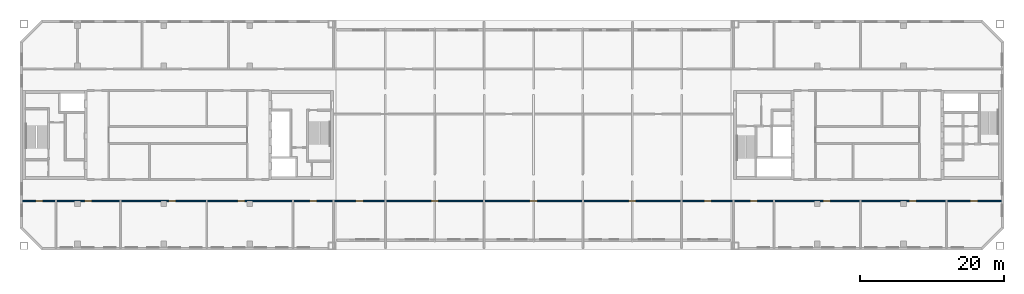
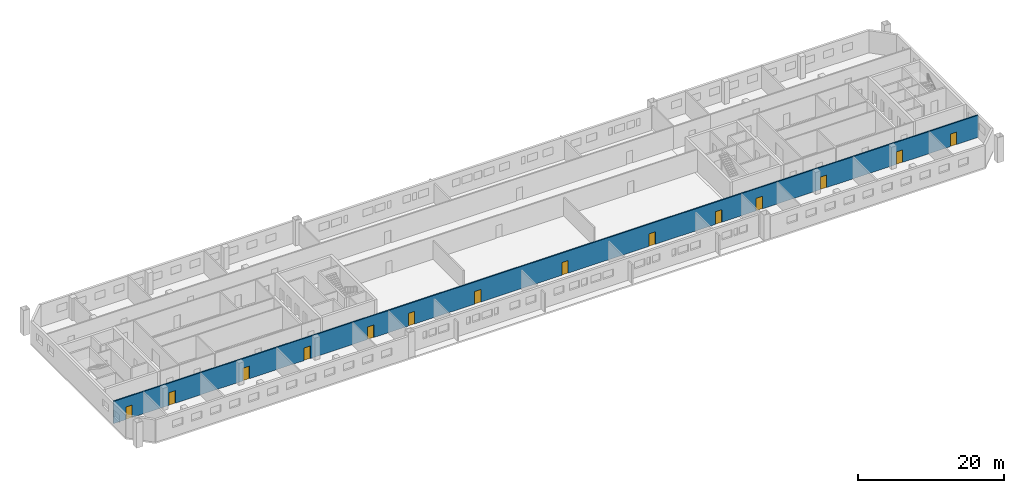
# One storey, part 7 of 13: 14 doors, 1 wall, 14 openings.
"""IFC4 building model written with IfcOpenShell, lengths in metres."""

from ifc_helpers import new_model, si_unit, direction, frame, frame_2d, origin, place, context, subcontext, project, spatial, rectangle, extrude, material, layer, layer_set, type_object, element, fill, save


model = new_model("IFC4")

# Units and contexts
model_context = context("Model", 3, precision=1e-05, world=origin(), true_north=direction((0.0, 1.0)))
body_context = subcontext(model_context, "Body", "Model", "MODEL_VIEW")
ifc_project = project(units=[si_unit("LENGTHUNIT", "METRE"), si_unit("AREAUNIT", "SQUARE_METRE"), si_unit("VOLUMEUNIT", "CUBIC_METRE"), si_unit("PLANEANGLEUNIT", "RADIAN"), si_unit("MASSUNIT", "GRAM", prefix="KILO")], contexts=[model_context])

# Site, building, storey
site_placement = place(None, origin())
site = spatial("IfcSite", under=ifc_project, at=site_placement, CompositionType="ELEMENT")
building_placement = place(site_placement, origin())
building = spatial("IfcBuilding", under=site, at=building_placement, Name="Tuart Gate Housing", CompositionType="ELEMENT")
storey_placement = place(building_placement, frame((0.0, 0.0, 198.60009765625)))
storey = spatial("IfcBuildingStorey", under=building, at=storey_placement, Name="L56", CompositionType="ELEMENT", Elevation=198.60009765625)

# Wall, openings, doors
ifc_material_1 = material(Name="Concrete masonry 15 MPa", Category="masonry")
ifc_layer = layer(ifc_material_1, 0.199951171875)
ifc_layer_set = layer_set([ifc_layer], Name="Enclosure wall masonry 200")
wall_type = type_object("IfcWallType", Name="Enclosure wall masonry 200", PredefinedType="PARTITIONING", material=ifc_layer_set)
wall_placement = place(storey_placement, frame((32.239990234375, 60.800048828125, 0.0), z_axis=(0.0, 0.0, 1.0), x_axis=(1.0, 0.0, 0.0)))
wall = element("IfcWall", 1, at=wall_placement, inside=storey, type_object=wall_type, Name="Enclosure wall masonry 200", PredefinedType="PARTITIONING", context=body_context, shape_type="SweptSolid", body=[
    extrude(rectangle(XDim=136.52001953125, YDim=0.199951171875, at=frame_2d((68.260009765625, 0.0))), origin(), (0.0, 0.0, 1.0), 3.699951171875),
])
opening_1_placement = place(wall_placement, frame((1.93994140625, 0.0, 0.0)))
opening_1 = element("IfcOpeningElement", 2, at=opening_1_placement, cuts=wall, Name="Opening D3596", PredefinedType="OPENING", context=body_context, shape_type="SweptSolid", body=[
    extrude(rectangle(XDim=1.0, YDim=2.10009765625, at=frame_2d((0.5, 1.050048828125))), frame((0.0, 0.10986328125, 0.0), z_axis=(0.0, -1.0, 0.0), x_axis=(1.0, 0.0, 0.0)), (0.0, 0.0, 1.0), 0.219970703125),
])
opening_2_placement = place(wall_placement, frame((8.760009765625, 0.0, 0.0)))
opening_2 = element("IfcOpeningElement", 3, at=opening_2_placement, cuts=wall, Name="Opening D3597", PredefinedType="OPENING", context=body_context, shape_type="SweptSolid", body=[
    extrude(rectangle(XDim=1.0, YDim=2.10009765625, at=frame_2d((0.5, 1.050048828125))), frame((0.0, 0.10986328125, 0.0), z_axis=(0.0, -1.0, 0.0), x_axis=(1.0, 0.0, 0.0)), (0.0, 0.0, 1.0), 0.219970703125),
])
opening_3_placement = place(wall_placement, frame((20.4599609375, 0.0, 0.0)))
opening_3 = element("IfcOpeningElement", 4, at=opening_3_placement, cuts=wall, Name="Opening D3598", PredefinedType="OPENING", context=body_context, shape_type="SweptSolid", body=[
    extrude(rectangle(XDim=1.0, YDim=2.10009765625, at=frame_2d((0.5, 1.050048828125))), frame((0.0, 0.10986328125, 0.0), z_axis=(0.0, -1.0, 0.0), x_axis=(1.0, 0.0, 0.0)), (0.0, 0.0, 1.0), 0.219970703125),
])
opening_4_placement = place(wall_placement, frame((30.06005859375, 0.0, 0.0)))
opening_4 = element("IfcOpeningElement", 5, at=opening_4_placement, cuts=wall, Name="Opening D3599", PredefinedType="OPENING", context=body_context, shape_type="SweptSolid", body=[
    extrude(rectangle(XDim=1.0, YDim=2.10009765625, at=frame_2d((0.5, 1.050048828125))), frame((0.0, 0.10986328125, 0.0), z_axis=(0.0, -1.0, 0.0), x_axis=(1.0, 0.0, 0.0)), (0.0, 0.0, 1.0), 0.219970703125),
])
opening_5_placement = place(wall_placement, frame((40.080078125, 0.0, 0.0)))
opening_5 = element("IfcOpeningElement", 6, at=opening_5_placement, cuts=wall, Name="Opening D3600", PredefinedType="OPENING", context=body_context, shape_type="SweptSolid", body=[
    extrude(rectangle(XDim=1.0, YDim=2.10009765625, at=frame_2d((0.5, 1.050048828125))), frame((0.0, 0.10986328125, 0.0), z_axis=(0.0, -1.0, 0.0), x_axis=(1.0, 0.0, 0.0)), (0.0, 0.0, 1.0), 0.219970703125),
])
opening_6_placement = place(wall_placement, frame((46.51708984375, 0.0, 0.0)))
opening_6 = element("IfcOpeningElement", 7, at=opening_6_placement, cuts=wall, Name="Opening D3601", PredefinedType="OPENING", context=body_context, shape_type="SweptSolid", body=[
    extrude(rectangle(XDim=1.0, YDim=2.10009765625, at=frame_2d((0.5, 1.050048828125))), frame((0.0, 0.10986328125, 0.0), z_axis=(0.0, -1.0, 0.0), x_axis=(1.0, 0.0, 0.0)), (0.0, 0.0, 1.0), 0.219970703125),
])
opening_7_placement = place(wall_placement, frame((57.010009765625, 0.0, 0.0)))
opening_7 = element("IfcOpeningElement", 8, at=opening_7_placement, cuts=wall, Name="Opening D3602", PredefinedType="OPENING", context=body_context, shape_type="SweptSolid", body=[
    extrude(rectangle(XDim=1.0, YDim=2.10009765625, at=frame_2d((0.5, 1.050048828125))), frame((0.0, 0.10986328125, 0.0), z_axis=(0.0, -1.0, 0.0), x_axis=(1.0, 0.0, 0.0)), (0.0, 0.0, 1.0), 0.219970703125),
])
opening_8_placement = place(wall_placement, frame((70.760009765625, 0.0, 0.0)))
opening_8 = element("IfcOpeningElement", 9, at=opening_8_placement, cuts=wall, Name="Opening D3603", PredefinedType="OPENING", context=body_context, shape_type="SweptSolid", body=[
    extrude(rectangle(XDim=1.0, YDim=2.10009765625, at=frame_2d((0.5, 1.050048828125))), frame((0.0, 0.10986328125, 0.0), z_axis=(0.0, -1.0, 0.0), x_axis=(1.0, 0.0, 0.0)), (0.0, 0.0, 1.0), 0.219970703125),
])
opening_9_placement = place(wall_placement, frame((84.510009765625, 0.0, 0.0)))
opening_9 = element("IfcOpeningElement", 10, at=opening_9_placement, cuts=wall, Name="Opening D3604", PredefinedType="OPENING", context=body_context, shape_type="SweptSolid", body=[
    extrude(rectangle(XDim=1.0, YDim=2.10009765625, at=frame_2d((0.5, 1.050048828125))), frame((0.0, 0.10986328125, 0.0), z_axis=(0.0, -1.0, 0.0), x_axis=(1.0, 0.0, 0.0)), (0.0, 0.0, 1.0), 0.219970703125),
])
opening_10_placement = place(wall_placement, frame((95.0029296875, 0.0, 0.0)))
opening_10 = element("IfcOpeningElement", 11, at=opening_10_placement, cuts=wall, Name="Opening D3605", PredefinedType="OPENING", context=body_context, shape_type="SweptSolid", body=[
    extrude(rectangle(XDim=1.0, YDim=2.10009765625, at=frame_2d((0.5, 1.050048828125))), frame((0.0, 0.10986328125, 0.0), z_axis=(0.0, -1.0, 0.0), x_axis=(1.0, 0.0, 0.0)), (0.0, 0.0, 1.0), 0.219970703125),
])
opening_11_placement = place(wall_placement, frame((101.43994140625, 0.0, 0.0)))
opening_11 = element("IfcOpeningElement", 12, at=opening_11_placement, cuts=wall, Name="Opening D3606", PredefinedType="OPENING", context=body_context, shape_type="SweptSolid", body=[
    extrude(rectangle(XDim=1.0, YDim=2.10009765625, at=frame_2d((0.5, 1.050048828125))), frame((0.0, 0.10986328125, 0.0), z_axis=(0.0, -1.0, 0.0), x_axis=(1.0, 0.0, 0.0)), (0.0, 0.0, 1.0), 0.219970703125),
])
opening_12_placement = place(wall_placement, frame((111.56005859375, 0.0, 0.0)))
opening_12 = element("IfcOpeningElement", 13, at=opening_12_placement, cuts=wall, Name="Opening D3607", PredefinedType="OPENING", context=body_context, shape_type="SweptSolid", body=[
    extrude(rectangle(XDim=1.0, YDim=2.10009765625, at=frame_2d((0.5, 1.050048828125))), frame((0.0, 0.10986328125, 0.0), z_axis=(0.0, -1.0, 0.0), x_axis=(1.0, 0.0, 0.0)), (0.0, 0.0, 1.0), 0.219970703125),
])
opening_13_placement = place(wall_placement, frame((123.56005859375, 0.0, 0.0)))
opening_13 = element("IfcOpeningElement", 14, at=opening_13_placement, cuts=wall, Name="Opening D3608", PredefinedType="OPENING", context=body_context, shape_type="SweptSolid", body=[
    extrude(rectangle(XDim=1.0, YDim=2.10009765625, at=frame_2d((0.5, 1.050048828125))), frame((0.0, 0.10986328125, 0.0), z_axis=(0.0, -1.0, 0.0), x_axis=(1.0, 0.0, 0.0)), (0.0, 0.0, 1.0), 0.219970703125),
])
opening_14_placement = place(wall_placement, frame((132.080078125, 0.0, 0.0)))
opening_14 = element("IfcOpeningElement", 15, at=opening_14_placement, cuts=wall, Name="Opening D3609", PredefinedType="OPENING", context=body_context, shape_type="SweptSolid", body=[
    extrude(rectangle(XDim=1.0, YDim=2.10009765625, at=frame_2d((0.5, 1.050048828125))), frame((0.0, 0.10986328125, 0.0), z_axis=(0.0, -1.0, 0.0), x_axis=(1.0, 0.0, 0.0)), (0.0, 0.0, 1.0), 0.219970703125),
])
ifc_material_2 = material(Name="Timber door leaf in steel frame", Category="steel")
door_type_1 = type_object("IfcDoorType", Name="Fire door 1000", OperationType="SINGLE_SWING_LEFT", PredefinedType="DOOR", material=ifc_material_2)
door_1_placement = place(opening_3_placement, frame((1.0, 0.0, 0.0), z_axis=(0.0, 0.0, 1.0), x_axis=(-1.0, 0.0, 0.0)))
door_1 = element("IfcDoor", 16, at=door_1_placement, inside=storey, type_object=door_type_1, Name="Fire door 1000", OperationType="SINGLE_SWING_LEFT", OverallHeight=2.10009765625, OverallWidth=1.0, PredefinedType="DOOR", context=body_context, shape_type="SweptSolid", body=[
    extrude(rectangle(XDim=1.0, YDim=2.10009765625, at=frame_2d((0.5, 1.050048828125))), frame((0.0, 0.025146484375, 0.0), z_axis=(0.0, -1.0, 0.0), x_axis=(1.0, 0.0, 0.0)), (0.0, 0.0, 1.0), 0.050048828125),
])
fill(opening_3, door_1)
door_2_placement = place(opening_10_placement, frame((1.0, 0.0, 0.0), z_axis=(0.0, 0.0, 1.0), x_axis=(-1.0, 0.0, 0.0)))
door_2 = element("IfcDoor", 17, at=door_2_placement, inside=storey, type_object=door_type_1, Name="Fire door 1000", OperationType="SINGLE_SWING_LEFT", OverallHeight=2.10009765625, OverallWidth=1.0, PredefinedType="DOOR", context=body_context, shape_type="SweptSolid", body=[
    extrude(rectangle(XDim=1.0, YDim=2.10009765625, at=frame_2d((0.5, 1.050048828125))), frame((0.0, 0.025146484375, 0.0), z_axis=(0.0, -1.0, 0.0), x_axis=(1.0, 0.0, 0.0)), (0.0, 0.0, 1.0), 0.050048828125),
])
fill(opening_10, door_2)
door_3_placement = place(opening_12_placement, frame((1.0, 0.0, 0.0), z_axis=(0.0, 0.0, 1.0), x_axis=(-1.0, 0.0, 0.0)))
door_3 = element("IfcDoor", 18, at=door_3_placement, inside=storey, type_object=door_type_1, Name="Fire door 1000", OperationType="SINGLE_SWING_LEFT", OverallHeight=2.10009765625, OverallWidth=1.0, PredefinedType="DOOR", context=body_context, shape_type="SweptSolid", body=[
    extrude(rectangle(XDim=1.0, YDim=2.10009765625, at=frame_2d((0.5, 1.050048828125))), frame((0.0, 0.025146484375, 0.0), z_axis=(0.0, -1.0, 0.0), x_axis=(1.0, 0.0, 0.0)), (0.0, 0.0, 1.0), 0.050048828125),
])
fill(opening_12, door_3)
door_4_placement = place(opening_13_placement, frame((1.0, 0.0, 0.0), z_axis=(0.0, 0.0, 1.0), x_axis=(-1.0, 0.0, 0.0)))
door_4 = element("IfcDoor", 19, at=door_4_placement, inside=storey, type_object=door_type_1, Name="Fire door 1000", OperationType="SINGLE_SWING_LEFT", OverallHeight=2.10009765625, OverallWidth=1.0, PredefinedType="DOOR", context=body_context, shape_type="SweptSolid", body=[
    extrude(rectangle(XDim=1.0, YDim=2.10009765625, at=frame_2d((0.5, 1.050048828125))), frame((0.0, 0.025146484375, 0.0), z_axis=(0.0, -1.0, 0.0), x_axis=(1.0, 0.0, 0.0)), (0.0, 0.0, 1.0), 0.050048828125),
])
fill(opening_13, door_4)
ifc_material_3 = material(Name="Timber door leaf in steel frame", Category="steel")
door_type_2 = type_object("IfcDoorType", Name="Fire door 1000 RH", OperationType="SINGLE_SWING_RIGHT", PredefinedType="DOOR", material=ifc_material_3)
door_5_placement = place(opening_1_placement, frame((1.0, 0.0, 0.0), z_axis=(0.0, 0.0, 1.0), x_axis=(-1.0, 0.0, 0.0)))
door_5 = element("IfcDoor", 20, at=door_5_placement, inside=storey, type_object=door_type_2, Name="Fire door 1000", OperationType="SINGLE_SWING_RIGHT", OverallHeight=2.10009765625, OverallWidth=1.0, PredefinedType="DOOR", context=body_context, shape_type="SweptSolid", body=[
    extrude(rectangle(XDim=1.0, YDim=2.10009765625, at=frame_2d((0.5, 1.050048828125))), frame((0.0, 0.025146484375, 0.0), z_axis=(0.0, -1.0, 0.0), x_axis=(1.0, 0.0, 0.0)), (0.0, 0.0, 1.0), 0.050048828125),
])
fill(opening_1, door_5)
door_6_placement = place(opening_2_placement, frame((1.0, 0.0, 0.0), z_axis=(0.0, 0.0, 1.0), x_axis=(-1.0, 0.0, 0.0)))
door_6 = element("IfcDoor", 21, at=door_6_placement, inside=storey, type_object=door_type_2, Name="Fire door 1000", OperationType="SINGLE_SWING_RIGHT", OverallHeight=2.10009765625, OverallWidth=1.0, PredefinedType="DOOR", context=body_context, shape_type="SweptSolid", body=[
    extrude(rectangle(XDim=1.0, YDim=2.10009765625, at=frame_2d((0.5, 1.050048828125))), frame((0.0, 0.025146484375, 0.0), z_axis=(0.0, -1.0, 0.0), x_axis=(1.0, 0.0, 0.0)), (0.0, 0.0, 1.0), 0.050048828125),
])
fill(opening_2, door_6)
door_7_placement = place(opening_4_placement, frame((1.0, 0.0, 0.0), z_axis=(0.0, 0.0, 1.0), x_axis=(-1.0, 0.0, 0.0)))
door_7 = element("IfcDoor", 22, at=door_7_placement, inside=storey, type_object=door_type_2, Name="Fire door 1000", OperationType="SINGLE_SWING_RIGHT", OverallHeight=2.10009765625, OverallWidth=1.0, PredefinedType="DOOR", context=body_context, shape_type="SweptSolid", body=[
    extrude(rectangle(XDim=1.0, YDim=2.10009765625, at=frame_2d((0.5, 1.050048828125))), frame((0.0, 0.025146484375, 0.0), z_axis=(0.0, -1.0, 0.0), x_axis=(1.0, 0.0, 0.0)), (0.0, 0.0, 1.0), 0.050048828125),
])
fill(opening_4, door_7)
door_8_placement = place(opening_5_placement, frame((1.0, 0.0, 0.0), z_axis=(0.0, 0.0, 1.0), x_axis=(-1.0, 0.0, 0.0)))
door_8 = element("IfcDoor", 23, at=door_8_placement, inside=storey, type_object=door_type_2, Name="Fire door 1000", OperationType="SINGLE_SWING_RIGHT", OverallHeight=2.10009765625, OverallWidth=1.0, PredefinedType="DOOR", context=body_context, shape_type="SweptSolid", body=[
    extrude(rectangle(XDim=1.0, YDim=2.10009765625, at=frame_2d((0.5, 1.050048828125))), frame((0.0, 0.025146484375, 0.0), z_axis=(0.0, -1.0, 0.0), x_axis=(1.0, 0.0, 0.0)), (0.0, 0.0, 1.0), 0.050048828125),
])
fill(opening_5, door_8)
door_9_placement = place(opening_6_placement, frame((1.0, 0.0, 0.0), z_axis=(0.0, 0.0, 1.0), x_axis=(-1.0, 0.0, 0.0)))
door_9 = element("IfcDoor", 24, at=door_9_placement, inside=storey, type_object=door_type_2, Name="Fire door 1000", OperationType="SINGLE_SWING_RIGHT", OverallHeight=2.10009765625, OverallWidth=1.0, PredefinedType="DOOR", context=body_context, shape_type="SweptSolid", body=[
    extrude(rectangle(XDim=1.0, YDim=2.10009765625, at=frame_2d((0.5, 1.050048828125))), frame((0.0, 0.025146484375, 0.0), z_axis=(0.0, -1.0, 0.0), x_axis=(1.0, 0.0, 0.0)), (0.0, 0.0, 1.0), 0.050048828125),
])
fill(opening_6, door_9)
door_10_placement = place(opening_7_placement, frame((1.0, 0.0, 0.0), z_axis=(0.0, 0.0, 1.0), x_axis=(-1.0, 0.0, 0.0)))
door_10 = element("IfcDoor", 25, at=door_10_placement, inside=storey, type_object=door_type_2, Name="Fire door 1000", OperationType="SINGLE_SWING_RIGHT", OverallHeight=2.10009765625, OverallWidth=1.0, PredefinedType="DOOR", context=body_context, shape_type="SweptSolid", body=[
    extrude(rectangle(XDim=1.0, YDim=2.10009765625, at=frame_2d((0.5, 1.050048828125))), frame((0.0, 0.025146484375, 0.0), z_axis=(0.0, -1.0, 0.0), x_axis=(1.0, 0.0, 0.0)), (0.0, 0.0, 1.0), 0.050048828125),
])
fill(opening_7, door_10)
door_11_placement = place(opening_8_placement, frame((1.0, 0.0, 0.0), z_axis=(0.0, 0.0, 1.0), x_axis=(-1.0, 0.0, 0.0)))
door_11 = element("IfcDoor", 26, at=door_11_placement, inside=storey, type_object=door_type_2, Name="Fire door 1000", OperationType="SINGLE_SWING_RIGHT", OverallHeight=2.10009765625, OverallWidth=1.0, PredefinedType="DOOR", context=body_context, shape_type="SweptSolid", body=[
    extrude(rectangle(XDim=1.0, YDim=2.10009765625, at=frame_2d((0.5, 1.050048828125))), frame((0.0, 0.025146484375, 0.0), z_axis=(0.0, -1.0, 0.0), x_axis=(1.0, 0.0, 0.0)), (0.0, 0.0, 1.0), 0.050048828125),
])
fill(opening_8, door_11)
door_12_placement = place(opening_9_placement, frame((1.0, 0.0, 0.0), z_axis=(0.0, 0.0, 1.0), x_axis=(-1.0, 0.0, 0.0)))
door_12 = element("IfcDoor", 27, at=door_12_placement, inside=storey, type_object=door_type_2, Name="Fire door 1000", OperationType="SINGLE_SWING_RIGHT", OverallHeight=2.10009765625, OverallWidth=1.0, PredefinedType="DOOR", context=body_context, shape_type="SweptSolid", body=[
    extrude(rectangle(XDim=1.0, YDim=2.10009765625, at=frame_2d((0.5, 1.050048828125))), frame((0.0, 0.025146484375, 0.0), z_axis=(0.0, -1.0, 0.0), x_axis=(1.0, 0.0, 0.0)), (0.0, 0.0, 1.0), 0.050048828125),
])
fill(opening_9, door_12)
door_13_placement = place(opening_11_placement, frame((1.0, 0.0, 0.0), z_axis=(0.0, 0.0, 1.0), x_axis=(-1.0, 0.0, 0.0)))
door_13 = element("IfcDoor", 28, at=door_13_placement, inside=storey, type_object=door_type_2, Name="Fire door 1000", OperationType="SINGLE_SWING_RIGHT", OverallHeight=2.10009765625, OverallWidth=1.0, PredefinedType="DOOR", context=body_context, shape_type="SweptSolid", body=[
    extrude(rectangle(XDim=1.0, YDim=2.10009765625, at=frame_2d((0.5, 1.050048828125))), frame((0.0, 0.025146484375, 0.0), z_axis=(0.0, -1.0, 0.0), x_axis=(1.0, 0.0, 0.0)), (0.0, 0.0, 1.0), 0.050048828125),
])
fill(opening_11, door_13)
door_14_placement = place(opening_14_placement, frame((1.0, 0.0, 0.0), z_axis=(0.0, 0.0, 1.0), x_axis=(-1.0, 0.0, 0.0)))
door_14 = element("IfcDoor", 29, at=door_14_placement, inside=storey, type_object=door_type_2, Name="Fire door 1000", OperationType="SINGLE_SWING_RIGHT", OverallHeight=2.10009765625, OverallWidth=1.0, PredefinedType="DOOR", context=body_context, shape_type="SweptSolid", body=[
    extrude(rectangle(XDim=1.0, YDim=2.10009765625, at=frame_2d((0.5, 1.050048828125))), frame((0.0, 0.025146484375, 0.0), z_axis=(0.0, -1.0, 0.0), x_axis=(1.0, 0.0, 0.0)), (0.0, 0.0, 1.0), 0.050048828125),
])
fill(opening_14, door_14)

save(model, "model.ifc")
